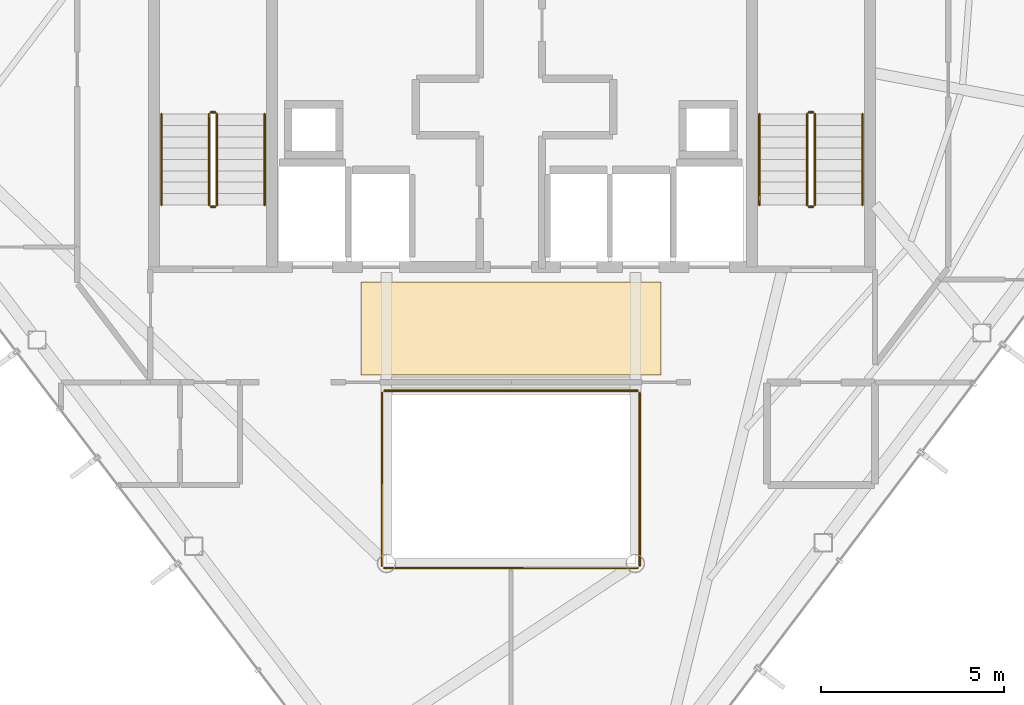
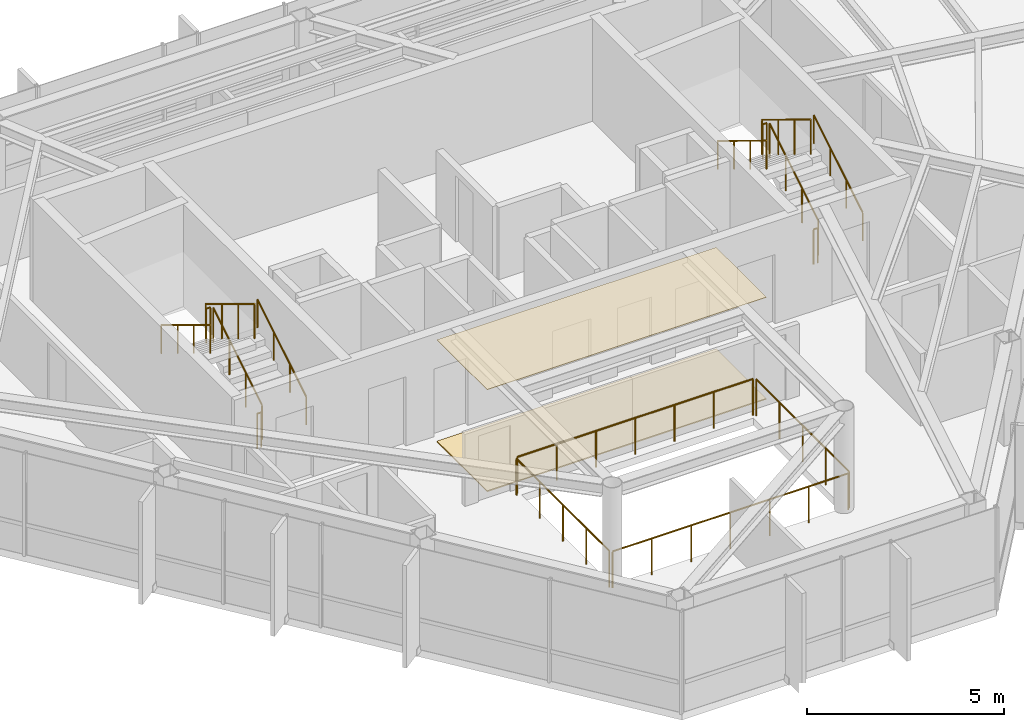
# One storey, part 24 of 24: 16 railings, 2 coverings.
"""IFC4 building model written with IfcOpenShell, lengths in metres."""

from ifc_helpers import new_model, si_unit, direction, frame, origin, origin_2d, place, context, subcontext, project, spatial, polyline, circle, outline, extrude, material, layer, layer_set, type_object, element, save


model = new_model("IFC4")

# Units and contexts
model_context = context("Model", 3, precision=1e-05, world=origin(), true_north=direction((0.0, 1.0)))
body_context = subcontext(model_context, "Body", "Model", "MODEL_VIEW")
ifc_project = project(units=[si_unit("LENGTHUNIT", "METRE"), si_unit("AREAUNIT", "SQUARE_METRE"), si_unit("VOLUMEUNIT", "CUBIC_METRE"), si_unit("PLANEANGLEUNIT", "RADIAN"), si_unit("MASSUNIT", "GRAM", prefix="KILO")], contexts=[model_context])

# Site, building, storey
site_placement = place(None, origin())
site = spatial("IfcSite", under=ifc_project, at=site_placement, CompositionType="ELEMENT")
building_placement = place(site_placement, origin())
building = spatial("IfcBuilding", under=site, at=building_placement, Name="Zarrinselat Tower", CompositionType="ELEMENT")
storey_placement = place(building_placement, frame((0.0, 0.0, 268.60009765625)))
storey = spatial("IfcBuildingStorey", under=building, at=storey_placement, Name="L68", CompositionType="ELEMENT", Elevation=268.60009765625)

# Coverings
ifc_material_1 = material(Name="Fire-Rated Gypsum Board Partition")
ifc_layer_1 = layer(ifc_material_1, 0.014892578125)
ifc_layer_set_1 = layer_set([ifc_layer_1], Name="Fire-Rated Gypsum Board Partition")
covering_type_1 = type_object("IfcCoveringType", Name="COV-CLG-AC15", PredefinedType="CEILING", material=ifc_layer_set_1)
covering_1_placement = place(storey_placement, frame((0.0, 0.0, 3.164794921875)))
element("IfcCovering", 1, at=covering_1_placement, inside=storey, type_object=covering_type_1, Name="L68 Lift Lobby Acoustic Ceiling", PredefinedType="CEILING", context=body_context, shape_type="SweptSolid", body=[
    extrude(outline(polyline([(34.300048828125, 30.35009765625), (42.5, 30.35009765625), (42.5, 32.89990234375), (34.300048828125, 32.89990234375), (34.300048828125, 30.35009765625)])), origin(), (0.0, 0.0, 1.0), 0.01513671875),
])
ifc_material_2 = material(Name="Precast concrete C40/50", Category="concrete")
ifc_layer_2 = layer(ifc_material_2, 0.034912109375)
ifc_layer_set_2 = layer_set([ifc_layer_2], Name="Precast concrete C40/50")
covering_type_2 = type_object("IfcCoveringType", Name="COV-FLR-CP35", PredefinedType="FLOORING", material=ifc_layer_set_2)
covering_2_placement = place(storey_placement, origin())
element("IfcCovering", 2, at=covering_2_placement, inside=storey, type_object=covering_type_2, Name="L68 Lift Lobby Stone Flooring", PredefinedType="FLOORING", context=body_context, shape_type="SweptSolid", body=[
    extrude(outline(polyline([(34.300048828125, 30.35009765625), (42.5, 30.35009765625), (42.5, 32.89990234375), (34.300048828125, 32.89990234375), (34.300048828125, 30.35009765625)])), origin(), (0.0, 0.0, 1.0), 0.034912109375),
])

# Railings
ifc_material_3 = material(Name="Double Low-E Laminated Solar Glass", Category="glass")
railing_type_1 = type_object("IfcRailingType", Name="RLG-ATRIUM-BAL", PredefinedType="BALUSTRADE", material=ifc_material_3)
railing_1_placement = place(storey_placement, frame((34.93994140625, 25.080078125, 0.0)))
element("IfcRailing", 3, at=railing_1_placement, inside=storey, type_object=railing_type_1, Name="L68 Atrium Void Glass Balustrade S", PredefinedType="BALUSTRADE", context=body_context, shape_type="SweptSolid", body=[
    extrude(circle(Radius=0.02392578125, at=origin_2d()), frame((0.0, 0.0, 1.1259765625), z_axis=(1.0, 0.0, 0.0), x_axis=(0.0, 1.0, 0.0)), (0.0, 0.0, 1.0), 6.920166015625),
    extrude(circle(Radius=0.02099609375, at=origin_2d()), origin(), (0.0, 0.0, 1.0), 1.099853515625),
    extrude(circle(Radius=0.02099609375, at=origin_2d()), frame((1.1533203125, 0.0, 0.0)), (0.0, 0.0, 1.0), 1.099853515625),
    extrude(circle(Radius=0.02099609375, at=origin_2d()), frame((2.306640625, 0.0, 0.0)), (0.0, 0.0, 1.0), 1.099853515625),
    extrude(circle(Radius=0.02099609375, at=origin_2d()), frame((3.4599609375, 0.0, 0.0)), (0.0, 0.0, 1.0), 1.099853515625),
    extrude(circle(Radius=0.02099609375, at=origin_2d()), frame((4.613525390625, 0.0, 0.0)), (0.0, 0.0, 1.0), 1.099853515625),
    extrude(circle(Radius=0.02099609375, at=origin_2d()), frame((5.766845703125, 0.0, 0.0)), (0.0, 0.0, 1.0), 1.099853515625),
    extrude(circle(Radius=0.02099609375, at=origin_2d()), frame((6.920166015625, 0.0, 0.0)), (0.0, 0.0, 1.0), 1.099853515625),
])
railing_2_placement = place(storey_placement, frame((41.919921875, 25.139892578125, 0.0)))
element("IfcRailing", 4, at=railing_2_placement, inside=storey, type_object=railing_type_1, Name="L68 Atrium Void Glass Balustrade E", PredefinedType="BALUSTRADE", context=body_context, shape_type="SweptSolid", body=[
    extrude(circle(Radius=0.02392578125, at=origin_2d()), frame((0.0, 0.0, 1.1259765625), z_axis=(0.0, 1.0, 0.0), x_axis=(-1.0, 0.0, 0.0)), (0.0, 0.0, 1.0), 4.72021484375),
    extrude(circle(Radius=0.02099609375, at=origin_2d()), origin(), (0.0, 0.0, 1.0), 1.099853515625),
    extrude(circle(Radius=0.02099609375, at=origin_2d()), frame((0.0, 1.18017578125, 0.0)), (0.0, 0.0, 1.0), 1.099853515625),
    extrude(circle(Radius=0.02099609375, at=origin_2d()), frame((0.0, 2.360107421875, 0.0)), (0.0, 0.0, 1.0), 1.099853515625),
    extrude(circle(Radius=0.02099609375, at=origin_2d()), frame((0.0, 3.5400390625, 0.0)), (0.0, 0.0, 1.0), 1.099853515625),
    extrude(circle(Radius=0.02099609375, at=origin_2d()), frame((0.0, 4.72021484375, 0.0)), (0.0, 0.0, 1.0), 1.099853515625),
])
railing_3_placement = place(storey_placement, frame((41.860107421875, 29.919921875, 0.0)))
element("IfcRailing", 5, at=railing_3_placement, inside=storey, type_object=railing_type_1, Name="L68 Atrium Void Glass Balustrade N", PredefinedType="BALUSTRADE", context=body_context, shape_type="SweptSolid", body=[
    extrude(circle(Radius=0.02392578125, at=origin_2d()), frame((0.0, 0.0, 1.1259765625), z_axis=(-1.0, 0.0, 0.0), x_axis=(0.0, -1.0, 0.0)), (0.0, 0.0, 1.0), 6.920166015625),
    extrude(circle(Radius=0.02099609375, at=origin_2d()), origin(), (0.0, 0.0, 1.0), 1.099853515625),
    extrude(circle(Radius=0.02099609375, at=origin_2d()), frame((-1.1533203125, 0.0, 0.0)), (0.0, 0.0, 1.0), 1.099853515625),
    extrude(circle(Radius=0.02099609375, at=origin_2d()), frame((-2.306640625, 0.0, 0.0)), (0.0, 0.0, 1.0), 1.099853515625),
    extrude(circle(Radius=0.02099609375, at=origin_2d()), frame((-3.4599609375, 0.0, 0.0)), (0.0, 0.0, 1.0), 1.099853515625),
    extrude(circle(Radius=0.02099609375, at=origin_2d()), frame((-4.613525390625, 0.0, 0.0)), (0.0, 0.0, 1.0), 1.099853515625),
    extrude(circle(Radius=0.02099609375, at=origin_2d()), frame((-5.766845703125, 0.0, 0.0)), (0.0, 0.0, 1.0), 1.099853515625),
    extrude(circle(Radius=0.02099609375, at=origin_2d()), frame((-6.920166015625, 0.0, 0.0)), (0.0, 0.0, 1.0), 1.099853515625),
])
railing_4_placement = place(storey_placement, frame((34.8798828125, 29.860107421875, 0.0)))
element("IfcRailing", 6, at=railing_4_placement, inside=storey, type_object=railing_type_1, Name="L68 Atrium Void Glass Balustrade W", PredefinedType="BALUSTRADE", context=body_context, shape_type="SweptSolid", body=[
    extrude(circle(Radius=0.02392578125, at=origin_2d()), frame((0.0, 0.0, 1.1259765625), z_axis=(0.0, -1.0, 0.0), x_axis=(1.0, 0.0, 0.0)), (0.0, 0.0, 1.0), 4.72021484375),
    extrude(circle(Radius=0.02099609375, at=origin_2d()), origin(), (0.0, 0.0, 1.0), 1.099853515625),
    extrude(circle(Radius=0.02099609375, at=origin_2d()), frame((0.0, -1.18017578125, 0.0)), (0.0, 0.0, 1.0), 1.099853515625),
    extrude(circle(Radius=0.02099609375, at=origin_2d()), frame((0.0, -2.360107421875, 0.0)), (0.0, 0.0, 1.0), 1.099853515625),
    extrude(circle(Radius=0.02099609375, at=origin_2d()), frame((0.0, -3.5400390625, 0.0)), (0.0, 0.0, 1.0), 1.099853515625),
    extrude(circle(Radius=0.02099609375, at=origin_2d()), frame((0.0, -4.72021484375, 0.0)), (0.0, 0.0, 1.0), 1.099853515625),
])
ifc_material_4 = material(Name="Steel S355J2", Category="steel")
railing_type_2 = type_object("IfcRailingType", Name="RLG-STAIR-GUARD", PredefinedType="GUARDRAIL", material=ifc_material_4)
railing_5_placement = place(storey_placement, frame((30.3701171875, 35.0, 0.188720703125)))
element("IfcRailing", 7, at=railing_5_placement, inside=storey, type_object=railing_type_2, Name="L68 ST-1 stair guard 1", PredefinedType="GUARDRAIL", context=body_context, shape_type="SweptSolid", body=[
    extrude(circle(Radius=0.02392578125, at=origin_2d()), frame((0.0, 0.0, 1.076171875), z_axis=(0.0, 0.853941963558, 0.520368256982), x_axis=(-1.0, 0.0, 0.0)), (0.0, 0.0, 1.0), 2.904052734375),
    extrude(circle(Radius=0.02099609375, at=origin_2d()), origin(), (0.0, 0.0, 1.0), 1.050048828125),
    extrude(circle(Radius=0.02099609375, at=origin_2d()), frame((0.0, 0.82666015625, 0.503662109375)), (0.0, 0.0, 1.0), 1.050048828125),
    extrude(circle(Radius=0.02099609375, at=origin_2d()), frame((0.0, 1.6533203125, 1.007568359375)), (0.0, 0.0, 1.0), 1.050048828125),
    extrude(circle(Radius=0.02099609375, at=origin_2d()), frame((0.0, 2.47998046875, 1.51123046875)), (0.0, 0.0, 1.0), 1.050048828125),
])
railing_6_placement = place(storey_placement, frame((30.320068359375, 37.530029296875, 1.699951171875)))
element("IfcRailing", 8, at=railing_6_placement, inside=storey, type_object=railing_type_2, Name="L68 ST-1 stair guard 2", PredefinedType="GUARDRAIL", context=body_context, shape_type="SweptSolid", body=[
    extrude(circle(Radius=0.02392578125, at=origin_2d()), frame((0.0, 0.0, 1.076171875), z_axis=(-1.0, 0.0, 0.0), x_axis=(0.0, -1.0, 0.0)), (0.0, 0.0, 1.0), 0.1201171875),
    extrude(circle(Radius=0.02099609375, at=origin_2d()), origin(), (0.0, 0.0, 1.0), 1.050048828125),
    extrude(circle(Radius=0.02099609375, at=origin_2d()), frame((-0.1201171875, 0.0, 0.0)), (0.0, 0.0, 1.0), 1.050048828125),
])
railing_7_placement = place(storey_placement, frame((30.14990234375, 37.47998046875, 1.888671875)))
element("IfcRailing", 9, at=railing_7_placement, inside=storey, type_object=railing_type_2, Name="L68 ST-1 stair guard 3", PredefinedType="GUARDRAIL", context=body_context, shape_type="SweptSolid", body=[
    extrude(circle(Radius=0.02392578125, at=origin_2d()), frame((0.0, 0.0, 1.076171875), z_axis=(0.0, -0.853941963558, 0.520368256982), x_axis=(1.0, 0.0, 0.0)), (0.0, 0.0, 1.0), 2.904052734375),
    extrude(circle(Radius=0.02099609375, at=origin_2d()), origin(), (0.0, 0.0, 1.0), 1.050048828125),
    extrude(circle(Radius=0.02099609375, at=origin_2d()), frame((0.0, -0.82666015625, 0.503662109375)), (0.0, 0.0, 1.0), 1.050048828125),
    extrude(circle(Radius=0.02099609375, at=origin_2d()), frame((0.0, -1.6533203125, 1.007568359375)), (0.0, 0.0, 1.0), 1.050048828125),
    extrude(circle(Radius=0.02099609375, at=origin_2d()), frame((0.0, -2.47998046875, 1.51123046875)), (0.0, 0.0, 1.0), 1.050048828125),
])
railing_8_placement = place(storey_placement, frame((30.320068359375, 34.949951171875, 0.0)))
element("IfcRailing", 10, at=railing_8_placement, inside=storey, type_object=railing_type_2, Name="L68 ST-1 stair guard 4", PredefinedType="GUARDRAIL", context=body_context, shape_type="SweptSolid", body=[
    extrude(circle(Radius=0.02392578125, at=origin_2d()), frame((0.0, 0.0, 1.076171875), z_axis=(-1.0, 0.0, 0.0), x_axis=(0.0, -1.0, 0.0)), (0.0, 0.0, 1.0), 0.1201171875),
    extrude(circle(Radius=0.02099609375, at=origin_2d()), origin(), (0.0, 0.0, 1.0), 1.050048828125),
    extrude(circle(Radius=0.02099609375, at=origin_2d()), frame((-0.1201171875, 0.0, 0.0)), (0.0, 0.0, 1.0), 1.050048828125),
])
railing_9_placement = place(storey_placement, frame((46.7099609375, 35.0, 0.188720703125)))
element("IfcRailing", 11, at=railing_9_placement, inside=storey, type_object=railing_type_2, Name="L68 ST-2 stair guard 1", PredefinedType="GUARDRAIL", context=body_context, shape_type="SweptSolid", body=[
    extrude(circle(Radius=0.02392578125, at=origin_2d()), frame((0.0, 0.0, 1.076171875), z_axis=(0.0, 0.853941963558, 0.520368256982), x_axis=(-1.0, 0.0, 0.0)), (0.0, 0.0, 1.0), 2.904052734375),
    extrude(circle(Radius=0.02099609375, at=origin_2d()), origin(), (0.0, 0.0, 1.0), 1.050048828125),
    extrude(circle(Radius=0.02099609375, at=origin_2d()), frame((0.0, 0.82666015625, 0.503662109375)), (0.0, 0.0, 1.0), 1.050048828125),
    extrude(circle(Radius=0.02099609375, at=origin_2d()), frame((0.0, 1.6533203125, 1.007568359375)), (0.0, 0.0, 1.0), 1.050048828125),
    extrude(circle(Radius=0.02099609375, at=origin_2d()), frame((0.0, 2.47998046875, 1.51123046875)), (0.0, 0.0, 1.0), 1.050048828125),
])
railing_10_placement = place(storey_placement, frame((46.659912109375, 37.530029296875, 1.699951171875)))
element("IfcRailing", 12, at=railing_10_placement, inside=storey, type_object=railing_type_2, Name="L68 ST-2 stair guard 2", PredefinedType="GUARDRAIL", context=body_context, shape_type="SweptSolid", body=[
    extrude(circle(Radius=0.02392578125, at=origin_2d()), frame((0.0, 0.0, 1.076171875), z_axis=(-1.0, 0.0, 0.0), x_axis=(0.0, -1.0, 0.0)), (0.0, 0.0, 1.0), 0.119873046875),
    extrude(circle(Radius=0.02099609375, at=origin_2d()), origin(), (0.0, 0.0, 1.0), 1.050048828125),
    extrude(circle(Radius=0.02099609375, at=origin_2d()), frame((-0.119873046875, 0.0, 0.0)), (0.0, 0.0, 1.0), 1.050048828125),
])
railing_11_placement = place(storey_placement, frame((46.489990234375, 37.47998046875, 1.888671875)))
element("IfcRailing", 13, at=railing_11_placement, inside=storey, type_object=railing_type_2, Name="L68 ST-2 stair guard 3", PredefinedType="GUARDRAIL", context=body_context, shape_type="SweptSolid", body=[
    extrude(circle(Radius=0.02392578125, at=origin_2d()), frame((0.0, 0.0, 1.076171875), z_axis=(0.0, -0.853941963558, 0.520368256982), x_axis=(1.0, 0.0, 0.0)), (0.0, 0.0, 1.0), 2.904052734375),
    extrude(circle(Radius=0.02099609375, at=origin_2d()), origin(), (0.0, 0.0, 1.0), 1.050048828125),
    extrude(circle(Radius=0.02099609375, at=origin_2d()), frame((0.0, -0.82666015625, 0.503662109375)), (0.0, 0.0, 1.0), 1.050048828125),
    extrude(circle(Radius=0.02099609375, at=origin_2d()), frame((0.0, -1.6533203125, 1.007568359375)), (0.0, 0.0, 1.0), 1.050048828125),
    extrude(circle(Radius=0.02099609375, at=origin_2d()), frame((0.0, -2.47998046875, 1.51123046875)), (0.0, 0.0, 1.0), 1.050048828125),
])
railing_12_placement = place(storey_placement, frame((46.659912109375, 34.949951171875, 0.0)))
element("IfcRailing", 14, at=railing_12_placement, inside=storey, type_object=railing_type_2, Name="L68 ST-2 stair guard 4", PredefinedType="GUARDRAIL", context=body_context, shape_type="SweptSolid", body=[
    extrude(circle(Radius=0.02392578125, at=origin_2d()), frame((0.0, 0.0, 1.076171875), z_axis=(-1.0, 0.0, 0.0), x_axis=(0.0, -1.0, 0.0)), (0.0, 0.0, 1.0), 0.119873046875),
    extrude(circle(Radius=0.02099609375, at=origin_2d()), origin(), (0.0, 0.0, 1.0), 1.050048828125),
    extrude(circle(Radius=0.02099609375, at=origin_2d()), frame((-0.119873046875, 0.0, 0.0)), (0.0, 0.0, 1.0), 1.050048828125),
])
ifc_material_5 = material(Name="Steel S355J2", Category="steel")
railing_type_3 = type_object("IfcRailingType", Name="RLG-STAIR-HAND", PredefinedType="HANDRAIL", material=ifc_material_5)
railing_13_placement = place(storey_placement, frame((31.669921875, 35.0, 0.188720703125)))
element("IfcRailing", 15, at=railing_13_placement, inside=storey, type_object=railing_type_3, Name="L68 ST-1 stair handrail 1", PredefinedType="HANDRAIL", context=body_context, shape_type="SweptSolid", body=[
    extrude(circle(Radius=0.02392578125, at=origin_2d()), frame((0.0, 0.0, 0.8759765625), z_axis=(0.0, 0.853941963558, 0.520368256982), x_axis=(-1.0, 0.0, 0.0)), (0.0, 0.0, 1.0), 2.904052734375),
    extrude(circle(Radius=0.02099609375, at=origin_2d()), origin(), (0.0, 0.0, 1.0), 0.849853515625),
    extrude(circle(Radius=0.02099609375, at=origin_2d()), frame((0.0, 0.82666015625, 0.503662109375)), (0.0, 0.0, 1.0), 0.849853515625),
    extrude(circle(Radius=0.02099609375, at=origin_2d()), frame((0.0, 1.6533203125, 1.007568359375)), (0.0, 0.0, 1.0), 0.849853515625),
    extrude(circle(Radius=0.02099609375, at=origin_2d()), frame((0.0, 2.47998046875, 1.51123046875)), (0.0, 0.0, 1.0), 0.849853515625),
])
railing_14_placement = place(storey_placement, frame((28.85009765625, 37.47998046875, 1.888671875)))
element("IfcRailing", 16, at=railing_14_placement, inside=storey, type_object=railing_type_3, Name="L68 ST-1 stair handrail 2", PredefinedType="HANDRAIL", context=body_context, shape_type="SweptSolid", body=[
    extrude(circle(Radius=0.02392578125, at=origin_2d()), frame((0.0, 0.0, 0.8759765625), z_axis=(0.0, -0.853941963558, 0.520368256982), x_axis=(1.0, 0.0, 0.0)), (0.0, 0.0, 1.0), 2.904052734375),
    extrude(circle(Radius=0.02099609375, at=origin_2d()), origin(), (0.0, 0.0, 1.0), 0.849853515625),
    extrude(circle(Radius=0.02099609375, at=origin_2d()), frame((0.0, -0.82666015625, 0.503662109375)), (0.0, 0.0, 1.0), 0.849853515625),
    extrude(circle(Radius=0.02099609375, at=origin_2d()), frame((0.0, -1.6533203125, 1.007568359375)), (0.0, 0.0, 1.0), 0.849853515625),
    extrude(circle(Radius=0.02099609375, at=origin_2d()), frame((0.0, -2.47998046875, 1.51123046875)), (0.0, 0.0, 1.0), 0.849853515625),
])
railing_15_placement = place(storey_placement, frame((48.010009765625, 35.0, 0.188720703125)))
element("IfcRailing", 17, at=railing_15_placement, inside=storey, type_object=railing_type_3, Name="L68 ST-2 stair handrail 1", PredefinedType="HANDRAIL", context=body_context, shape_type="SweptSolid", body=[
    extrude(circle(Radius=0.02392578125, at=origin_2d()), frame((0.0, 0.0, 0.8759765625), z_axis=(0.0, 0.853941963558, 0.520368256982), x_axis=(-1.0, 0.0, 0.0)), (0.0, 0.0, 1.0), 2.904052734375),
    extrude(circle(Radius=0.02099609375, at=origin_2d()), origin(), (0.0, 0.0, 1.0), 0.849853515625),
    extrude(circle(Radius=0.02099609375, at=origin_2d()), frame((0.0, 0.82666015625, 0.503662109375)), (0.0, 0.0, 1.0), 0.849853515625),
    extrude(circle(Radius=0.02099609375, at=origin_2d()), frame((0.0, 1.6533203125, 1.007568359375)), (0.0, 0.0, 1.0), 0.849853515625),
    extrude(circle(Radius=0.02099609375, at=origin_2d()), frame((0.0, 2.47998046875, 1.51123046875)), (0.0, 0.0, 1.0), 0.849853515625),
])
railing_16_placement = place(storey_placement, frame((45.18994140625, 37.47998046875, 1.888671875)))
element("IfcRailing", 18, at=railing_16_placement, inside=storey, type_object=railing_type_3, Name="L68 ST-2 stair handrail 2", PredefinedType="HANDRAIL", context=body_context, shape_type="SweptSolid", body=[
    extrude(circle(Radius=0.02392578125, at=origin_2d()), frame((0.0, 0.0, 0.8759765625), z_axis=(0.0, -0.853941963558, 0.520368256982), x_axis=(1.0, 0.0, 0.0)), (0.0, 0.0, 1.0), 2.904052734375),
    extrude(circle(Radius=0.02099609375, at=origin_2d()), origin(), (0.0, 0.0, 1.0), 0.849853515625),
    extrude(circle(Radius=0.02099609375, at=origin_2d()), frame((0.0, -0.82666015625, 0.503662109375)), (0.0, 0.0, 1.0), 0.849853515625),
    extrude(circle(Radius=0.02099609375, at=origin_2d()), frame((0.0, -1.6533203125, 1.007568359375)), (0.0, 0.0, 1.0), 0.849853515625),
    extrude(circle(Radius=0.02099609375, at=origin_2d()), frame((0.0, -2.47998046875, 1.51123046875)), (0.0, 0.0, 1.0), 0.849853515625),
])

save(model, "model.ifc")
